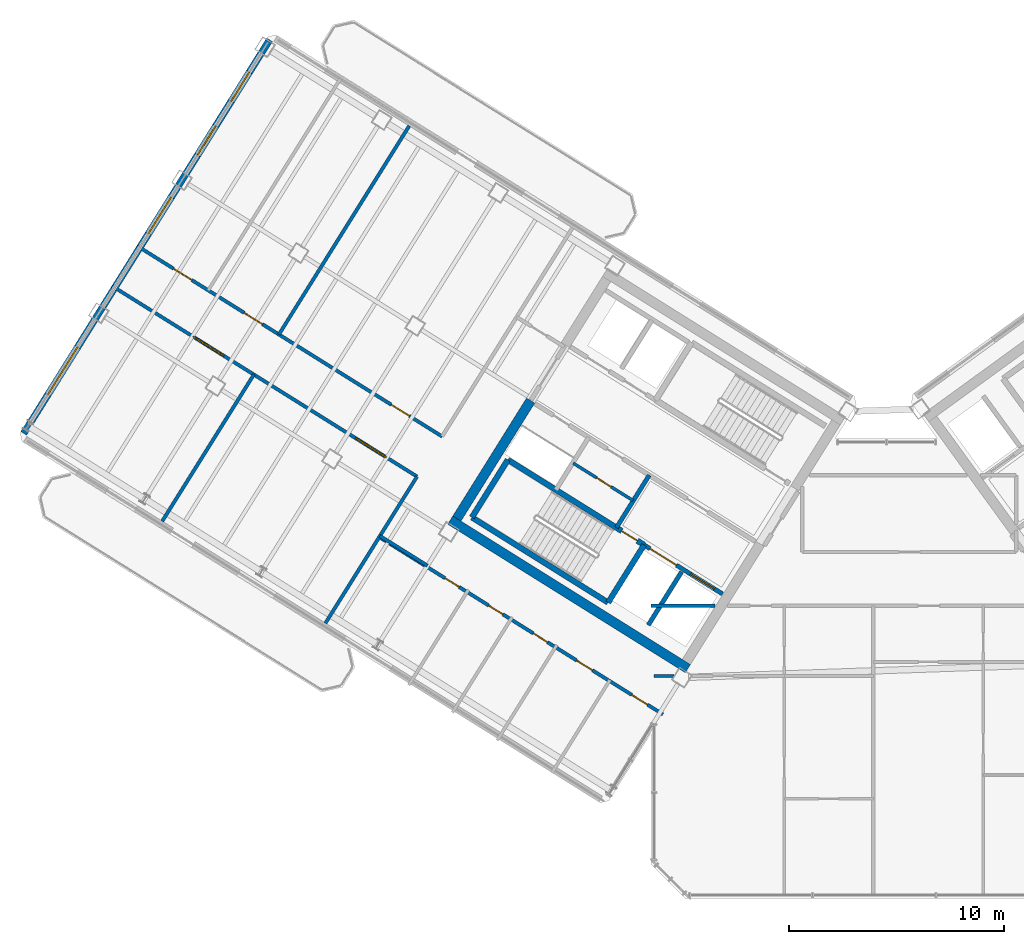
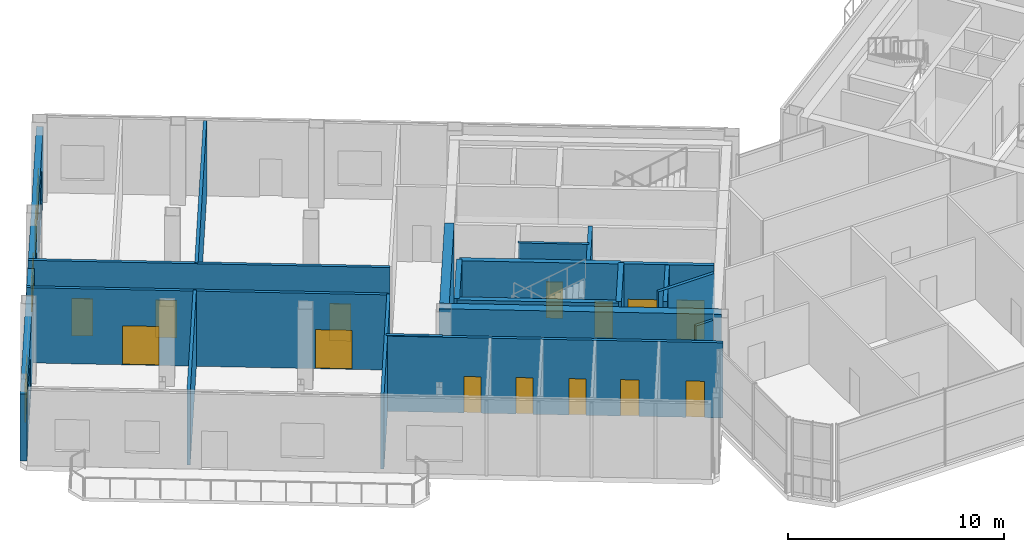
# One storey, part 16 of 27: 20 walls, 14 doors, 4 windows, 18 openings.
"""IFC4 building model written with IfcOpenShell, lengths in metres."""

from ifc_helpers import new_model, si_unit, direction, frame, frame_2d, origin, place, context, subcontext, project, spatial, rectangle, extrude, source, transform, mapped, material, layer, layer_set, type_object, element, fill, save


model = new_model("IFC4")

# Units and contexts
model_context = context("Model", 3, precision=1e-05, world=origin(), true_north=direction((0.0, 1.0)))
body_context = subcontext(model_context, "Body", "Model", "MODEL_VIEW")
ifc_project = project(units=[si_unit("LENGTHUNIT", "METRE"), si_unit("AREAUNIT", "SQUARE_METRE"), si_unit("VOLUMEUNIT", "CUBIC_METRE"), si_unit("PLANEANGLEUNIT", "RADIAN"), si_unit("MASSUNIT", "GRAM", prefix="KILO")], contexts=[model_context])

# Site, building, storey
site_placement = place(None, origin())
site = spatial("IfcSite", under=ifc_project, at=site_placement, CompositionType="ELEMENT")
building_placement = place(site_placement, origin())
building = spatial("IfcBuilding", under=site, at=building_placement, Name="Tlacorven Tower", CompositionType="ELEMENT")
storey_placement = place(building_placement, frame((0.0, 0.0, 254.699951171875)))
storey = spatial("IfcBuildingStorey", under=building, at=storey_placement, Name="L64", CompositionType="ELEMENT", Elevation=254.699951171875)

# Walls
ifc_material_1 = material(Name="Concrete C50/60", Category="concrete")
ifc_layer_1 = layer(ifc_material_1, 0.449951171875)
ifc_layer_set_1 = layer_set([ifc_layer_1], Name="Concrete C50/60")
wall_type_1 = type_object("IfcWallType", Name="WL-COR-450", PredefinedType="SHEAR", material=ifc_layer_set_1)
wall_1_placement = place(storey_placement, frame((33.32373046875, 12.5029296875, 0.0), z_axis=(0.0, 0.0, 1.0), x_axis=(-0.848043529849, 0.529926571782, 0.0)))
element("IfcWall", 1, at=wall_1_placement, inside=storey, type_object=wall_type_1, Name="L64 W core shear wall S2", PredefinedType="SHEAR", context=body_context, shape_type="SweptSolid", body=[
    extrude(rectangle(XDim=13.039794921875, YDim=0.449951171875, at=frame_2d((6.52001953125, 0.0))), origin(), (0.0, 0.0, 1.0), 4.25),
])
wall_2_placement = place(storey_placement, frame((26.006591796875, 24.975830078125, 0.0), z_axis=(0.0, 0.0, 1.0), x_axis=(-0.529931155655, -0.848040665456, 0.0)))
element("IfcWall", 2, at=wall_2_placement, inside=storey, type_object=wall_type_1, Name="L64 W core end wall E2.2", PredefinedType="SHEAR", context=body_context, shape_type="SweptSolid", body=[
    extrude(rectangle(XDim=6.47509765625, YDim=0.449951171875, at=frame_2d((3.237548828125, 0.0))), origin(), (0.0, 0.0, 1.0), 4.25),
])
ifc_material_2 = material(Name="Gypsum plasterboard acoustic partition", Category="gypsum")
ifc_layer_2 = layer(ifc_material_2, 0.159912109375)
ifc_layer_set_2 = layer_set([ifc_layer_2], Name="Gypsum plasterboard acoustic partition")
wall_type_2 = type_object("IfcWallType", Name="WL-DEM-160", PredefinedType="PARTITIONING", material=ifc_layer_set_2)
wall_3_placement = place(storey_placement, frame((21.20556640625, 17.29248046875, 0.0), z_axis=(0.0, 0.0, 1.0), x_axis=(-0.848050851465, 0.529914854792, 0.0)))
element("IfcWall", 3, at=wall_3_placement, inside=storey, type_object=wall_type_2, Name="L64 partition 40", PredefinedType="PARTITIONING", context=body_context, shape_type="SweptSolid", body=[
    extrude(rectangle(XDim=2.60986328125, YDim=0.159912109375, at=frame_2d((1.304931640625, 0.0))), origin(), (0.0, 0.0, 1.0), 4.239990234375),
])
wall_4_placement = place(storey_placement, frame((20.719482421875, 21.440185546875, 0.0), z_axis=(0.0, 0.0, 1.0), x_axis=(-0.529906246318, -0.848056230514, 0.0)))
element("IfcWall", 4, at=wall_4_placement, inside=storey, type_object=wall_type_2, Name="L64 partition 42", PredefinedType="PARTITIONING", context=body_context, shape_type="SweptSolid", body=[
    extrude(rectangle(XDim=8.0498046875, YDim=0.159912109375, at=frame_2d((4.02490234375, 0.0))), origin(), (0.0, 0.0, 1.0), 4.239990234375),
])

# Wall, openings, doors
wall_5_placement = place(storey_placement, frame((21.885498046875, 23.305908203125, 0.0), z_axis=(0.0, 0.0, 1.0), x_axis=(-0.848052408131, 0.529912363569, 0.0)))
wall_5 = element("IfcWall", 5, at=wall_5_placement, inside=storey, type_object=wall_type_2, Name="L64 Wing W Corridor South Wall", PredefinedType="PARTITIONING", context=body_context, shape_type="SweptSolid", body=[
    extrude(rectangle(XDim=16.72998046875, YDim=0.159912109375, at=frame_2d((8.364990234375, 0.0))), origin(), (0.0, 0.0, 1.0), 4.239990234375),
])
opening_1_placement = place(wall_5_placement, frame((1.800048828125, 0.0, 0.0)))
opening_1 = element("IfcOpeningElement", 6, at=opening_1_placement, cuts=wall_5, Name="Opening D11", PredefinedType="OPENING", context=body_context, shape_type="SweptSolid", body=[
    extrude(rectangle(XDim=1.0, YDim=2.10009765625, at=frame_2d((0.5, 1.050048828125))), frame((0.0, 0.08984375, 0.0), z_axis=(0.0, -1.0, 0.0), x_axis=(1.0, 0.0, 0.0)), (0.0, 0.0, 1.0), 0.179931640625),
])
opening_2_placement = place(wall_5_placement, frame((9.85498046875, 0.0, 0.0)))
opening_2 = element("IfcOpeningElement", 7, at=opening_2_placement, cuts=wall_5, Name="Opening D11", PredefinedType="OPENING", context=body_context, shape_type="SweptSolid", body=[
    extrude(rectangle(XDim=1.0, YDim=2.10009765625, at=frame_2d((0.5, 1.050048828125))), frame((0.0, 0.08984375, 0.0), z_axis=(0.0, -1.0, 0.0), x_axis=(1.0, 0.0, 0.0)), (0.0, 0.0, 1.0), 0.179931640625),
])
opening_3_placement = place(wall_5_placement, frame((13.73193359375, 0.0, 0.0)))
opening_3 = element("IfcOpeningElement", 8, at=opening_3_placement, cuts=wall_5, Name="Opening D11", PredefinedType="OPENING", context=body_context, shape_type="SweptSolid", body=[
    extrude(rectangle(XDim=1.0, YDim=2.10009765625, at=frame_2d((0.5, 1.050048828125))), frame((0.0, 0.08984375, 0.0), z_axis=(0.0, -1.0, 0.0), x_axis=(1.0, 0.0, 0.0)), (0.0, 0.0, 1.0), 0.179931640625),
])
ifc_material_3 = material(Name="Fire-rated steel door assembly", Category="steel")
door_type_1 = type_object("IfcDoorType", Name="DR-FLT-FD60-1000", OperationType="NOTDEFINED", PredefinedType="DOOR", material=ifc_material_3)
shared_shape_1 = source(origin(), body_context, "Body", "SweptSolid", [
    extrude(rectangle(XDim=1.0, YDim=2.10009765625, at=frame_2d((0.5, 1.050048828125))), frame((0.0, 0.02490234375, 0.0), z_axis=(0.0, -1.0, 0.0), x_axis=(1.0, 0.0, 0.0)), (0.0, 0.0, 1.0), 0.050048828125),
])
door_1_placement = place(opening_1_placement, frame((1.0, 0.0, 0.0), z_axis=(0.0, 0.0, 1.0), x_axis=(-1.0, 0.0, 0.0)))
door_1 = element("IfcDoor", 9, at=door_1_placement, inside=storey, type_object=door_type_1, Name="L64 door 026", OperationType="SINGLE_SWING_LEFT", OverallHeight=2.10009765625, OverallWidth=1.0, PredefinedType="DOOR", context=body_context, shape_type="MappedRepresentation", body=[
    mapped(shared_shape_1, transform((0.0, 0.0, 0.0), scale=1.0)),
])
fill(opening_1, door_1)
door_2_placement = place(opening_2_placement, frame((1.0, 0.0, 0.0), z_axis=(0.0, 0.0, 1.0), x_axis=(-1.0, 0.0, 0.0)))
door_2 = element("IfcDoor", 10, at=door_2_placement, inside=storey, type_object=door_type_1, Name="L64 door 027", OperationType="SINGLE_SWING_RIGHT", OverallHeight=2.10009765625, OverallWidth=1.0, PredefinedType="DOOR", context=body_context, shape_type="MappedRepresentation", body=[
    mapped(shared_shape_1, transform((0.0, 0.0, 0.0), scale=1.0)),
])
fill(opening_2, door_2)
door_3_placement = place(opening_3_placement, frame((1.0, 0.0, 0.0), z_axis=(0.0, 0.0, 1.0), x_axis=(-1.0, 0.0, 0.0)))
door_3 = element("IfcDoor", 11, at=door_3_placement, inside=storey, type_object=door_type_1, Name="L64 door 028", OperationType="SINGLE_SWING_LEFT", OverallHeight=2.10009765625, OverallWidth=1.0, PredefinedType="DOOR", context=body_context, shape_type="MappedRepresentation", body=[
    mapped(shared_shape_1, transform((0.0, 0.0, 0.0), scale=1.0)),
])
fill(opening_3, door_3)

wall_6_placement = place(storey_placement, frame((20.719482421875, 21.440185546875, 0.0), z_axis=(0.0, 0.0, 1.0), x_axis=(-0.848048310262, 0.529918921593, 0.0)))
wall_6 = element("IfcWall", 12, at=wall_6_placement, inside=storey, type_object=wall_type_2, Name="L64 Wing W Corridor North Wall", PredefinedType="PARTITIONING", context=body_context, shape_type="SweptSolid", body=[
    extrude(rectangle(XDim=16.72998046875, YDim=0.159912109375, at=frame_2d((8.364990234375, 0.0))), origin(), (0.0, 0.0, 1.0), 4.239990234375),
])
opening_4_placement = place(wall_6_placement, frame((1.679931640625, 0.0, 0.0)))
opening_4 = element("IfcOpeningElement", 13, at=opening_4_placement, cuts=wall_6, Name="Opening D17", PredefinedType="OPENING", context=body_context, shape_type="SweptSolid", body=[
    extrude(rectangle(XDim=1.699951171875, YDim=2.199951171875, at=frame_2d((0.85009765625, 1.10009765625))), frame((0.0, 0.08984375, 0.0), z_axis=(0.0, -1.0, 0.0), x_axis=(1.0, 0.0, 0.0)), (0.0, 0.0, 1.0), 0.179931640625),
])
opening_5_placement = place(wall_6_placement, frame((10.594970703125, 0.0, 0.0)))
opening_5 = element("IfcOpeningElement", 14, at=opening_5_placement, cuts=wall_6, Name="Opening D17", PredefinedType="OPENING", context=body_context, shape_type="SweptSolid", body=[
    extrude(rectangle(XDim=1.699951171875, YDim=2.199951171875, at=frame_2d((0.85009765625, 1.10009765625))), frame((0.0, 0.08984375, 0.0), z_axis=(0.0, -1.0, 0.0), x_axis=(1.0, 0.0, 0.0)), (0.0, 0.0, 1.0), 0.179931640625),
])
door_type_2 = type_object("IfcDoorType", Name="DR-COM-HALL-1700", OperationType="DOUBLE_DOOR_SINGLE_SWING", PredefinedType="DOOR", material=ifc_material_3)
shared_shape_2 = source(origin(), body_context, "Body", "SweptSolid", [
    extrude(rectangle(XDim=1.699951171875, YDim=2.199951171875, at=frame_2d((0.85009765625, 1.10009765625))), frame((0.0, 0.02490234375, 0.0), z_axis=(0.0, -1.0, 0.0), x_axis=(1.0, 0.0, 0.0)), (0.0, 0.0, 1.0), 0.050048828125),
])
door_4_placement = place(opening_4_placement, origin())
door_4 = element("IfcDoor", 15, at=door_4_placement, inside=storey, type_object=door_type_2, Name="L64 door 024", OperationType="DOUBLE_DOOR_SINGLE_SWING", OverallHeight=2.199951171875, OverallWidth=1.699951171875, PredefinedType="DOOR", context=body_context, shape_type="MappedRepresentation", body=[
    mapped(shared_shape_2, transform((0.0, 0.0, 0.0), scale=1.0)),
])
fill(opening_4, door_4)
door_5_placement = place(opening_5_placement, origin())
door_5 = element("IfcDoor", 16, at=door_5_placement, inside=storey, type_object=door_type_2, Name="L64 door 025", OperationType="DOUBLE_DOOR_SINGLE_SWING", OverallHeight=2.199951171875, OverallWidth=1.699951171875, PredefinedType="DOOR", context=body_context, shape_type="MappedRepresentation", body=[
    mapped(shared_shape_2, transform((0.0, 0.0, 0.0), scale=1.0)),
])
fill(opening_5, door_5)

# Walls
wall_7_placement = place(storey_placement, frame((13.125244140625, 26.185546875, 0.0), z_axis=(0.0, 0.0, 1.0), x_axis=(-0.529928058306, -0.848042600947, 0.0)))
element("IfcWall", 17, at=wall_7_placement, inside=storey, type_object=wall_type_2, Name="L64 partition 46", PredefinedType="PARTITIONING", context=body_context, shape_type="SweptSolid", body=[
    extrude(rectangle(XDim=8.0498046875, YDim=0.159912109375, at=frame_2d((4.02490234375, 0.0))), origin(), (0.0, 0.0, 1.0), 4.239990234375),
])
wall_8_placement = place(storey_placement, frame((20.358642578125, 37.761474609375, 0.0), z_axis=(0.0, 0.0, 1.0), x_axis=(-0.529905022231, -0.848056995381, 0.0)))
element("IfcWall", 18, at=wall_8_placement, inside=storey, type_object=wall_type_2, Name="L64 partition 47", PredefinedType="PARTITIONING", context=body_context, shape_type="SweptSolid", body=[
    extrude(rectangle(XDim=11.449951171875, YDim=0.159912109375, at=frame_2d((5.72509765625, 0.0))), origin(), (0.0, 0.0, 1.0), 4.239990234375),
])

# Wall, openings, doors
wall_9_placement = place(storey_placement, frame((32.164306640625, 10.373779296875, 0.0), z_axis=(0.0, 0.0, 1.0), x_axis=(-0.848044107957, 0.529925646633, 0.0)))
wall_9 = element("IfcWall", 19, at=wall_9_placement, inside=storey, type_object=wall_type_2, Name="L64 partition 49", PredefinedType="PARTITIONING", context=body_context, shape_type="SweptSolid", body=[
    extrude(rectangle(XDim=15.570068359375, YDim=0.159912109375, at=frame_2d((7.78515625, 0.0))), origin(), (0.0, 0.0, 1.0), 4.239990234375),
])
opening_6_placement = place(wall_9_placement, frame((0.85009765625, 0.0, 0.0)))
opening_6 = element("IfcOpeningElement", 20, at=opening_6_placement, cuts=wall_9, Name="Opening D19", PredefinedType="OPENING", context=body_context, shape_type="SweptSolid", body=[
    extrude(rectangle(XDim=0.860107421875, YDim=2.050048828125, at=frame_2d((0.43017578125, 1.02490234375))), frame((0.0, 0.08984375, 0.0), z_axis=(0.0, -1.0, 0.0), x_axis=(1.0, 0.0, 0.0)), (0.0, 0.0, 1.0), 0.179931640625),
])
opening_7_placement = place(wall_9_placement, frame((3.8701171875, 0.0, 0.0)))
opening_7 = element("IfcOpeningElement", 21, at=opening_7_placement, cuts=wall_9, Name="Opening D19", PredefinedType="OPENING", context=body_context, shape_type="SweptSolid", body=[
    extrude(rectangle(XDim=0.860107421875, YDim=2.050048828125, at=frame_2d((0.43017578125, 1.02490234375))), frame((0.0, 0.08984375, 0.0), z_axis=(0.0, -1.0, 0.0), x_axis=(1.0, 0.0, 0.0)), (0.0, 0.0, 1.0), 0.179931640625),
])
opening_8_placement = place(wall_9_placement, frame((6.330078125, 0.0, 0.0)))
opening_8 = element("IfcOpeningElement", 22, at=opening_8_placement, cuts=wall_9, Name="Opening D22", PredefinedType="OPENING", context=body_context, shape_type="SweptSolid", body=[
    extrude(rectangle(XDim=0.780029296875, YDim=2.050048828125, at=frame_2d((0.39013671875, 1.02490234375))), frame((0.0, 0.08984375, 0.0), z_axis=(0.0, -1.0, 0.0), x_axis=(1.0, 0.0, 0.0)), (0.0, 0.0, 1.0), 0.179931640625),
])
opening_9_placement = place(wall_9_placement, frame((8.780029296875, 0.0, 0.0)))
opening_9 = element("IfcOpeningElement", 23, at=opening_9_placement, cuts=wall_9, Name="Opening D22", PredefinedType="OPENING", context=body_context, shape_type="SweptSolid", body=[
    extrude(rectangle(XDim=0.780029296875, YDim=2.050048828125, at=frame_2d((0.39013671875, 1.02490234375))), frame((0.0, 0.08984375, 0.0), z_axis=(0.0, -1.0, 0.0), x_axis=(1.0, 0.0, 0.0)), (0.0, 0.0, 1.0), 0.179931640625),
])
opening_10_placement = place(wall_9_placement, frame((11.179931640625, 0.0, 0.0)))
opening_10 = element("IfcOpeningElement", 24, at=opening_10_placement, cuts=wall_9, Name="Opening D22", PredefinedType="OPENING", context=body_context, shape_type="SweptSolid", body=[
    extrude(rectangle(XDim=0.780029296875, YDim=2.050048828125, at=frame_2d((0.39013671875, 1.02490234375))), frame((0.0, 0.08984375, 0.0), z_axis=(0.0, -1.0, 0.0), x_axis=(1.0, 0.0, 0.0)), (0.0, 0.0, 1.0), 0.179931640625),
])
door_type_3 = type_object("IfcDoorType", Name="DR-RSR-FD60-0860", OperationType="NOTDEFINED", PredefinedType="DOOR", material=ifc_material_3)
shared_shape_3 = source(origin(), body_context, "Body", "SweptSolid", [
    extrude(rectangle(XDim=0.860107421875, YDim=2.050048828125, at=frame_2d((0.43017578125, 1.02490234375))), frame((0.0, 0.02490234375, 0.0), z_axis=(0.0, -1.0, 0.0), x_axis=(1.0, 0.0, 0.0)), (0.0, 0.0, 1.0), 0.050048828125),
])
door_6_placement = place(opening_6_placement, origin())
door_6 = element("IfcDoor", 25, at=door_6_placement, inside=storey, type_object=door_type_3, Name="L64 door 029", OperationType="SINGLE_SWING_RIGHT", OverallHeight=2.050048828125, OverallWidth=0.860107421875, PredefinedType="DOOR", context=body_context, shape_type="MappedRepresentation", body=[
    mapped(shared_shape_3, transform((0.0, 0.0, 0.0), scale=1.0)),
])
fill(opening_6, door_6)
door_7_placement = place(opening_7_placement, origin())
door_7 = element("IfcDoor", 26, at=door_7_placement, inside=storey, type_object=door_type_3, Name="L64 door 030", OperationType="SINGLE_SWING_LEFT", OverallHeight=2.050048828125, OverallWidth=0.860107421875, PredefinedType="DOOR", context=body_context, shape_type="MappedRepresentation", body=[
    mapped(shared_shape_3, transform((0.0, 0.0, 0.0), scale=1.0)),
])
fill(opening_7, door_7)
ifc_material_4 = material(Name="Powder-coated aluminium and timber door", Category="wood")
door_type_4 = type_object("IfcDoorType", Name="DR-INT-WET-0780", OperationType="NOTDEFINED", PredefinedType="DOOR", material=ifc_material_4)
shared_shape_4 = source(origin(), body_context, "Body", "SweptSolid", [
    extrude(rectangle(XDim=0.780029296875, YDim=2.050048828125, at=frame_2d((0.39013671875, 1.02490234375))), frame((0.0, 0.02490234375, 0.0), z_axis=(0.0, -1.0, 0.0), x_axis=(1.0, 0.0, 0.0)), (0.0, 0.0, 1.0), 0.050048828125),
])
door_8_placement = place(opening_8_placement, origin())
door_8 = element("IfcDoor", 27, at=door_8_placement, inside=storey, type_object=door_type_4, Name="L64 door 031", OperationType="SINGLE_SWING_RIGHT", OverallHeight=2.050048828125, OverallWidth=0.780029296875, PredefinedType="DOOR", context=body_context, shape_type="MappedRepresentation", body=[
    mapped(shared_shape_4, transform((0.0, 0.0, 0.0), scale=1.0)),
])
fill(opening_8, door_8)
door_9_placement = place(opening_9_placement, origin())
door_9 = element("IfcDoor", 28, at=door_9_placement, inside=storey, type_object=door_type_4, Name="L64 door 032", OperationType="SINGLE_SWING_LEFT", OverallHeight=2.050048828125, OverallWidth=0.780029296875, PredefinedType="DOOR", context=body_context, shape_type="MappedRepresentation", body=[
    mapped(shared_shape_4, transform((0.0, 0.0, 0.0), scale=1.0)),
])
fill(opening_9, door_9)
door_10_placement = place(opening_10_placement, origin())
door_10 = element("IfcDoor", 29, at=door_10_placement, inside=storey, type_object=door_type_4, Name="L64 door 033", OperationType="SINGLE_SWING_RIGHT", OverallHeight=2.050048828125, OverallWidth=0.780029296875, PredefinedType="DOOR", context=body_context, shape_type="MappedRepresentation", body=[
    mapped(shared_shape_4, transform((0.0, 0.0, 0.0), scale=1.0)),
])
fill(opening_10, door_10)

# Wall
wall_10_placement = place(storey_placement, frame((31.60009765625, 15.419921875, 0.0), z_axis=(0.0, 0.0, 1.0), x_axis=(1.0, 0.0, 0.0)))
element("IfcWall", 30, at=wall_10_placement, inside=storey, type_object=wall_type_2, Name="L64 Knuckle Corridor South Wall", PredefinedType="PARTITIONING", context=body_context, shape_type="SweptSolid", body=[
    extrude(rectangle(XDim=2.984130859375, YDim=0.159912109375, at=frame_2d((1.4921875, 0.0))), origin(), (0.0, 0.0, 1.0), 4.239990234375),
])

# Wall, openings, windows
ifc_material_5 = material(Name="Precast concrete C45/55", Category="concrete")
ifc_layer_3 = layer(ifc_material_5, 0.320068359375)
ifc_layer_set_3 = layer_set([ifc_layer_3], Name="Precast concrete C45/55")
wall_type_3 = type_object("IfcWallType", Name="WL-EXT-320", PredefinedType="STANDARD", material=ifc_layer_set_3)
wall_11_placement = place(storey_placement, frame((2.41455078125, 23.452392578125, 0.0), z_axis=(0.0, 0.0, 1.0), x_axis=(0.52991049553, 0.848053575387, 0.0)))
wall_11 = element("IfcWall", 31, at=wall_11_placement, inside=storey, type_object=wall_type_3, Name="L64 Masonry-Frame Recessed Facade Wall 2", PredefinedType="STANDARD", context=body_context, shape_type="SweptSolid", body=[
    extrude(rectangle(XDim=21.58740234375, YDim=0.320068359375, at=frame_2d((10.793701171875, 0.0))), origin(), (0.0, 0.0, 1.0), 3.775146484375),
])
opening_11_placement = place(wall_11_placement, frame((2.131103515625, 0.0, 0.699951171875)))
opening_11 = element("IfcOpeningElement", 32, at=opening_11_placement, cuts=wall_11, Name="Opening WN10", PredefinedType="OPENING", context=body_context, shape_type="SweptSolid", body=[
    extrude(rectangle(XDim=2.60009765625, YDim=2.0, at=frame_2d((1.300048828125, 1.0))), frame((0.0, 0.169921875, 0.0), z_axis=(0.0, -1.0, 0.0), x_axis=(1.0, 0.0, 0.0)), (0.0, 0.0, 1.0), 0.340087890625),
])
opening_12_placement = place(wall_11_placement, frame((10.958740234375, 0.0, 0.75)))
opening_12 = element("IfcOpeningElement", 33, at=opening_12_placement, cuts=wall_11, Name="Opening WN11", PredefinedType="OPENING", context=body_context, shape_type="SweptSolid", body=[
    extrude(rectangle(XDim=2.0, YDim=1.949951171875, at=frame_2d((1.0, 0.97509765625))), frame((0.0, 0.169921875, 0.0), z_axis=(0.0, -1.0, 0.0), x_axis=(1.0, 0.0, 0.0)), (0.0, 0.0, 1.0), 0.340087890625),
])
opening_13_placement = place(wall_11_placement, frame((15.268798828125, 0.0, 0.85009765625)))
opening_13 = element("IfcOpeningElement", 34, at=opening_13_placement, cuts=wall_11, Name="Opening WN12", PredefinedType="OPENING", context=body_context, shape_type="SweptSolid", body=[
    extrude(rectangle(XDim=1.60009765625, YDim=1.800048828125, at=frame_2d((0.800048828125, 0.89990234375))), frame((0.0, 0.169921875, 0.0), z_axis=(0.0, -1.0, 0.0), x_axis=(1.0, 0.0, 0.0)), (0.0, 0.0, 1.0), 0.340087890625),
])
opening_14_placement = place(wall_11_placement, frame((18.21875, 0.0, 0.85009765625)))
opening_14 = element("IfcOpeningElement", 35, at=opening_14_placement, cuts=wall_11, Name="Opening WN12", PredefinedType="OPENING", context=body_context, shape_type="SweptSolid", body=[
    extrude(rectangle(XDim=1.60009765625, YDim=1.800048828125, at=frame_2d((0.800048828125, 0.89990234375))), frame((0.0, 0.169921875, 0.0), z_axis=(0.0, -1.0, 0.0), x_axis=(1.0, 0.0, 0.0)), (0.0, 0.0, 1.0), 0.340087890625),
])
ifc_material_6 = material(Name="Dark solar low-E double glazing in anodised aluminium frame", Category="aluminium")
window_type_1 = type_object("IfcWindowType", Name="WN-COM-2600X2200", PartitioningType="SINGLE_PANEL", PredefinedType="WINDOW", material=ifc_material_6)
shared_shape_5 = source(origin(), body_context, "Body", "SweptSolid", [
    extrude(rectangle(XDim=2.60009765625, YDim=2.0, at=frame_2d((1.300048828125, 1.0))), frame((0.0, 0.030029296875, 0.0), z_axis=(0.0, -1.0, 0.0), x_axis=(1.0, 0.0, 0.0)), (0.0, 0.0, 1.0), 0.06005859375),
])
window_1_placement = place(opening_11_placement, origin())
window_1 = element("IfcWindow", 36, at=window_1_placement, inside=storey, type_object=window_type_1, Name="L64 Recessed Masonry-Frame Window L64-02.1", OverallHeight=2.0, OverallWidth=2.60009765625, PartitioningType="SINGLE_PANEL", PredefinedType="WINDOW", context=body_context, shape_type="MappedRepresentation", body=[
    mapped(shared_shape_5, transform((0.0, 0.0, 0.0), scale=1.0)),
])
fill(opening_11, window_1)
window_type_2 = type_object("IfcWindowType", Name="WN-COM-1600X1900", PartitioningType="SINGLE_PANEL", PredefinedType="WINDOW", material=ifc_material_6)
shared_shape_6 = source(origin(), body_context, "Body", "SweptSolid", [
    extrude(rectangle(XDim=1.60009765625, YDim=1.800048828125, at=frame_2d((0.800048828125, 0.89990234375))), frame((0.0, 0.030029296875, 0.0), z_axis=(0.0, -1.0, 0.0), x_axis=(1.0, 0.0, 0.0)), (0.0, 0.0, 1.0), 0.06005859375),
])
window_2_placement = place(opening_13_placement, origin())
window_2 = element("IfcWindow", 37, at=window_2_placement, inside=storey, type_object=window_type_2, Name="L64 Recessed Masonry-Frame Window L64-02.3", OverallHeight=1.800048828125, OverallWidth=1.60009765625, PartitioningType="SINGLE_PANEL", PredefinedType="WINDOW", context=body_context, shape_type="MappedRepresentation", body=[
    mapped(shared_shape_6, transform((0.0, 0.0, 0.0), scale=1.0)),
])
fill(opening_13, window_2)
window_3_placement = place(opening_14_placement, origin())
window_3 = element("IfcWindow", 38, at=window_3_placement, inside=storey, type_object=window_type_2, Name="L64 Recessed Masonry-Frame Window L64-02.4", OverallHeight=1.800048828125, OverallWidth=1.60009765625, PartitioningType="SINGLE_PANEL", PredefinedType="WINDOW", context=body_context, shape_type="MappedRepresentation", body=[
    mapped(shared_shape_6, transform((0.0, 0.0, 0.0), scale=1.0)),
])
fill(opening_14, window_3)
window_type_3 = type_object("IfcWindowType", Name="WN-COM-2000X2100", PartitioningType="SINGLE_PANEL", PredefinedType="WINDOW", material=ifc_material_6)
shared_shape_7 = source(origin(), body_context, "Body", "SweptSolid", [
    extrude(rectangle(XDim=2.0, YDim=1.949951171875, at=frame_2d((1.0, 0.97509765625))), frame((0.0, 0.030029296875, 0.0), z_axis=(0.0, -1.0, 0.0), x_axis=(1.0, 0.0, 0.0)), (0.0, 0.0, 1.0), 0.06005859375),
])
window_4_placement = place(opening_12_placement, origin())
window_4 = element("IfcWindow", 39, at=window_4_placement, inside=storey, type_object=window_type_3, Name="L64 Recessed Masonry-Frame Window L64-02.2", OverallHeight=1.949951171875, OverallWidth=2.0, PartitioningType="SINGLE_PANEL", PredefinedType="WINDOW", context=body_context, shape_type="MappedRepresentation", body=[
    mapped(shared_shape_7, transform((0.0, 0.0, 0.0), scale=1.0)),
])
fill(opening_12, window_4)

# Wall, opening, door
ifc_material_7 = material(Name="Moisture-resistant gypsum plumbing wall", Category="gypsum")
ifc_layer_4 = layer(ifc_material_7, 0.139892578125)
ifc_layer_set_4 = layer_set([ifc_layer_4], Name="Moisture-resistant gypsum plumbing wall")
wall_type_4 = type_object("IfcWallType", Name="WL-PLM-140", PredefinedType="PLUMBINGWALL", material=ifc_layer_set_4)
wall_12_placement = place(storey_placement, frame((30.766357421875, 20.3271484375, 0.0), z_axis=(0.0, 0.0, 1.0), x_axis=(-0.848052663127, 0.529911955482, 0.0)))
wall_12 = element("IfcWall", 40, at=wall_12_placement, inside=storey, type_object=wall_type_4, Name="L64 partition 18", PredefinedType="PLUMBINGWALL", context=body_context, shape_type="SweptSolid", body=[
    extrude(rectangle(XDim=3.27978515625, YDim=0.139892578125, at=frame_2d((1.639892578125, 0.0))), origin(), (0.0, 0.0, 1.0), 4.239990234375),
])
opening_15_placement = place(wall_12_placement, frame((1.199951171875, 0.0, 0.0)))
opening_15 = element("IfcOpeningElement", 41, at=opening_15_placement, cuts=wall_12, Name="Opening D22", PredefinedType="OPENING", context=body_context, shape_type="SweptSolid", body=[
    extrude(rectangle(XDim=0.780029296875, YDim=2.050048828125, at=frame_2d((0.39013671875, 1.02490234375))), frame((0.0, 0.080078125, 0.0), z_axis=(0.0, -1.0, 0.0), x_axis=(1.0, 0.0, 0.0)), (0.0, 0.0, 1.0), 0.159912109375),
])
door_11_placement = place(opening_15_placement, origin())
door_11 = element("IfcDoor", 42, at=door_11_placement, inside=storey, type_object=door_type_4, Name="L64 door 010", OperationType="SINGLE_SWING_LEFT", OverallHeight=2.050048828125, OverallWidth=0.780029296875, PredefinedType="DOOR", context=body_context, shape_type="MappedRepresentation", body=[
    mapped(shared_shape_4, transform((0.0, 0.0, 0.0), scale=1.0)),
])
fill(opening_15, door_11)

# Wall
wall_13_placement = place(storey_placement, frame((31.739990234375, 12.169921875, 0.0), z_axis=(0.0, 0.0, 1.0), x_axis=(1.0, 0.0, 0.0)))
element("IfcWall", 43, at=wall_13_placement, inside=storey, type_object=wall_type_4, Name="L64 partition 64", PredefinedType="PLUMBINGWALL", context=body_context, shape_type="SweptSolid", body=[
    extrude(rectangle(XDim=0.93115234375, YDim=0.139892578125, at=frame_2d((0.465576171875, 0.0))), origin(), (0.0, 0.0, 1.0), 4.239990234375),
])

# Wall, openings, doors
ifc_material_8 = material(Name="Concrete C40/50", Category="concrete")
ifc_layer_5 = layer(ifc_material_8, 0.199951171875)
ifc_layer_set_5 = layer_set([ifc_layer_5], Name="Concrete C40/50")
wall_type_5 = type_object("IfcWallType", Name="WL-SHF-200", PredefinedType="STANDARD", material=ifc_layer_set_5)
wall_14_placement = place(storey_placement, frame((34.93310546875, 15.978271484375, 0.0), z_axis=(0.0, 0.0, 1.0), x_axis=(-0.848055739377, 0.529907032327, 0.0)))
wall_14 = element("IfcWall", 44, at=wall_14_placement, inside=storey, type_object=wall_type_5, Name="L64 Core W Firefighting Lift Shaft Front Wall", PredefinedType="STANDARD", context=body_context, shape_type="SweptSolid", body=[
    extrude(rectangle(XDim=4.298095703125, YDim=0.199951171875, at=frame_2d((2.14892578125, 0.0))), origin(), (0.0, 0.0, 1.0), 4.239990234375),
])
opening_16_placement = place(wall_14_placement, frame((0.447998046875, 0.0, 0.0)))
opening_16 = element("IfcOpeningElement", 45, at=opening_16_placement, cuts=wall_14, Name="Opening LD03", PredefinedType="OPENING", context=body_context, shape_type="SweptSolid", body=[
    extrude(rectangle(XDim=1.300048828125, YDim=2.199951171875, at=frame_2d((0.64990234375, 1.10009765625))), frame((0.0, 0.10986328125, 0.0), z_axis=(0.0, -1.0, 0.0), x_axis=(1.0, 0.0, 0.0)), (0.0, 0.0, 1.0), 0.219970703125),
])
opening_17_placement = place(wall_14_placement, frame((2.52294921875, 0.0, 0.0)))
opening_17 = element("IfcOpeningElement", 46, at=opening_17_placement, cuts=wall_14, Name="Opening LD04", PredefinedType="OPENING", context=body_context, shape_type="SweptSolid", body=[
    extrude(rectangle(XDim=1.449951171875, YDim=2.25, at=frame_2d((0.72509765625, 1.125))), frame((0.0, 0.10986328125, 0.0), z_axis=(0.0, -1.0, 0.0), x_axis=(1.0, 0.0, 0.0)), (0.0, 0.0, 1.0), 0.219970703125),
])
door_type_5 = type_object("IfcDoorType", Name="DR-LFT-SLID-1300", OperationType="DOUBLE_DOOR_SLIDING", PredefinedType="DOOR", material=ifc_material_3)
shared_shape_8 = source(origin(), body_context, "Body", "SweptSolid", [
    extrude(rectangle(XDim=1.300048828125, YDim=2.199951171875, at=frame_2d((0.64990234375, 1.10009765625))), frame((0.0, 0.02490234375, 0.0), z_axis=(0.0, -1.0, 0.0), x_axis=(1.0, 0.0, 0.0)), (0.0, 0.0, 1.0), 0.050048828125),
])
door_12_placement = place(opening_16_placement, origin())
door_12 = element("IfcDoor", 47, at=door_12_placement, inside=storey, type_object=door_type_5, Name="L64 Lift FFL-W1 Sliding Landing Door", OperationType="DOUBLE_DOOR_SLIDING", OverallHeight=2.199951171875, OverallWidth=1.300048828125, PredefinedType="DOOR", context=body_context, shape_type="MappedRepresentation", body=[
    mapped(shared_shape_8, transform((0.0, 0.0, 0.0), scale=1.0)),
])
fill(opening_16, door_12)
door_type_6 = type_object("IfcDoorType", Name="DR-LFT-SLID-1450", OperationType="DOUBLE_DOOR_SLIDING", PredefinedType="DOOR", material=ifc_material_3)
shared_shape_9 = source(origin(), body_context, "Body", "SweptSolid", [
    extrude(rectangle(XDim=1.449951171875, YDim=2.25, at=frame_2d((0.72509765625, 1.125))), frame((0.0, 0.02490234375, 0.0), z_axis=(0.0, -1.0, 0.0), x_axis=(1.0, 0.0, 0.0)), (0.0, 0.0, 1.0), 0.050048828125),
])
door_13_placement = place(opening_17_placement, origin())
door_13 = element("IfcDoor", 48, at=door_13_placement, inside=storey, type_object=door_type_6, Name="L64 Lift SVL-W1 Sliding Landing Door", OperationType="DOUBLE_DOOR_SLIDING", OverallHeight=2.25, OverallWidth=1.449951171875, PredefinedType="DOOR", context=body_context, shape_type="MappedRepresentation", body=[
    mapped(shared_shape_9, transform((0.0, 0.0, 0.0), scale=1.0)),
])
fill(opening_17, door_13)

# Walls
wall_15_placement = place(storey_placement, frame((33.02880859375, 17.003173828125, 0.0), z_axis=(0.0, 0.0, 1.0), x_axis=(-0.529916267533, -0.848049968695, 0.0)))
element("IfcWall", 49, at=wall_15_placement, inside=storey, type_object=wall_type_5, Name="L64 partition 11", PredefinedType="STANDARD", context=body_context, shape_type="SweptSolid", body=[
    extrude(rectangle(XDim=2.919921875, YDim=0.199951171875, at=frame_2d((1.4599609375, 0.0))), origin(), (0.0, 0.0, 1.0), 4.239990234375),
])
wall_16_placement = place(storey_placement, frame((31.525146484375, 21.503662109375, 0.0), z_axis=(0.0, 0.0, 1.0), x_axis=(-0.529907497854, -0.848055448493, 0.0)))
element("IfcWall", 50, at=wall_16_placement, inside=storey, type_object=wall_type_5, Name="L64 partition 15", PredefinedType="STANDARD", context=body_context, shape_type="SweptSolid", body=[
    extrude(rectangle(XDim=2.8798828125, YDim=0.199951171875, at=frame_2d((1.43994140625, 0.0))), origin(), (0.0, 0.0, 1.0), 4.239990234375),
])
ifc_layer_6 = layer(ifc_material_1, 0.260009765625)
ifc_layer_set_6 = layer_set([ifc_layer_6], Name="Concrete C50/60")
wall_type_6 = type_object("IfcWallType", Name="WL-STW-260", PredefinedType="SHEAR", material=ifc_layer_set_6)
wall_17_placement = place(storey_placement, frame((29.60498046875, 15.581298828125, 0.0), z_axis=(0.0, 0.0, 1.0), x_axis=(-0.848036911448, 0.529937163087, 0.0)))
element("IfcWall", 51, at=wall_17_placement, inside=storey, type_object=wall_type_6, Name="L64 Stair W1 Far Shear Wall", PredefinedType="SHEAR", context=body_context, shape_type="SweptSolid", body=[
    extrude(rectangle(XDim=7.4599609375, YDim=0.260009765625, at=frame_2d((3.72998046875, 0.0))), origin(), (0.0, 0.0, 1.0), 4.25),
])

# Wall, opening, door
wall_18_placement = place(storey_placement, frame((31.279541015625, 18.26123046875, 0.0), z_axis=(0.0, 0.0, 1.0), x_axis=(-0.848051618787, 0.529913626805, 0.0)))
wall_18 = element("IfcWall", 52, at=wall_18_placement, inside=storey, type_object=wall_type_6, Name="L64 Stair W1 Lobby Shear Wall", PredefinedType="SHEAR", context=body_context, shape_type="SweptSolid", body=[
    extrude(rectangle(XDim=7.4599609375, YDim=0.260009765625, at=frame_2d((3.72998046875, 0.0))), origin(), (0.0, 0.0, 1.0), 4.25),
])
opening_18_placement = place(wall_18_placement, frame((0.360107421875, 0.0, 0.0)))
opening_18 = element("IfcOpeningElement", 53, at=opening_18_placement, cuts=wall_18, Name="Opening D19", PredefinedType="OPENING", context=body_context, shape_type="SweptSolid", body=[
    extrude(rectangle(XDim=0.860107421875, YDim=2.050048828125, at=frame_2d((0.43017578125, 1.02490234375))), frame((0.0, 0.14013671875, 0.0), z_axis=(0.0, -1.0, 0.0), x_axis=(1.0, 0.0, 0.0)), (0.0, 0.0, 1.0), 0.280029296875),
])
door_14_placement = place(opening_18_placement, frame((0.860107421875, 0.0, 0.0), z_axis=(0.0, 0.0, 1.0), x_axis=(-1.0, 0.0, 0.0)))
door_14 = element("IfcDoor", 54, at=door_14_placement, inside=storey, type_object=door_type_3, Name="L64 Exit Stair W1 Fire Door", OperationType="SINGLE_SWING_LEFT", OverallHeight=2.050048828125, OverallWidth=0.860107421875, PredefinedType="DOOR", context=body_context, shape_type="MappedRepresentation", body=[
    mapped(shared_shape_3, transform((0.0, 0.0, 0.0), scale=1.0)),
])
fill(opening_18, door_14)

# Walls
wall_19_placement = place(storey_placement, frame((31.2880859375, 18.255859375, 0.0), z_axis=(0.0, 0.0, 1.0), x_axis=(-0.529943379326, -0.848033026897, 0.0)))
element("IfcWall", 55, at=wall_19_placement, inside=storey, type_object=wall_type_6, Name="L64 Stair W1 West Shear Wall", PredefinedType="SHEAR", context=body_context, shape_type="SweptSolid", body=[
    extrude(rectangle(XDim=3.159912109375, YDim=0.260009765625, at=frame_2d((1.580078125, 0.0))), origin(), (0.0, 0.0, 1.0), 4.25),
])
wall_20_placement = place(storey_placement, frame((24.944580078125, 22.2197265625, 0.0), z_axis=(0.0, 0.0, 1.0), x_axis=(-0.529908658664, -0.84805472316, 0.0)))
element("IfcWall", 56, at=wall_20_placement, inside=storey, type_object=wall_type_6, Name="L64 Stair W1 East Shear Wall", PredefinedType="SHEAR", context=body_context, shape_type="SweptSolid", body=[
    extrude(rectangle(XDim=3.16015625, YDim=0.260009765625, at=frame_2d((1.580078125, 0.0))), origin(), (0.0, 0.0, 1.0), 4.25),
])

save(model, "model.ifc")
